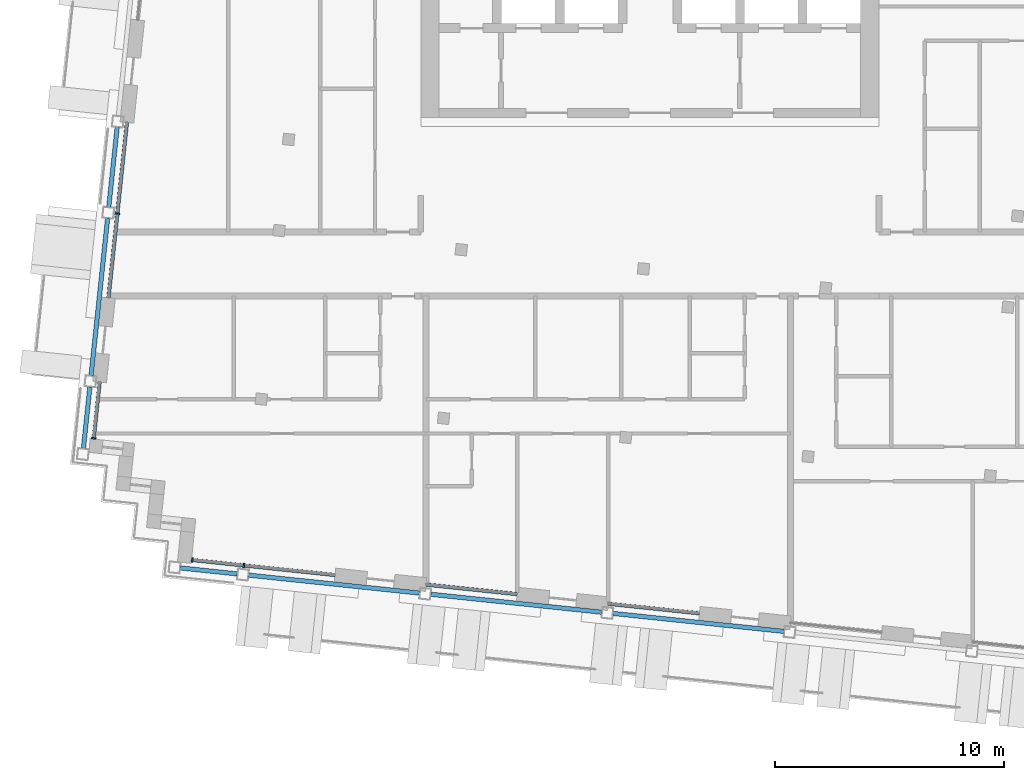
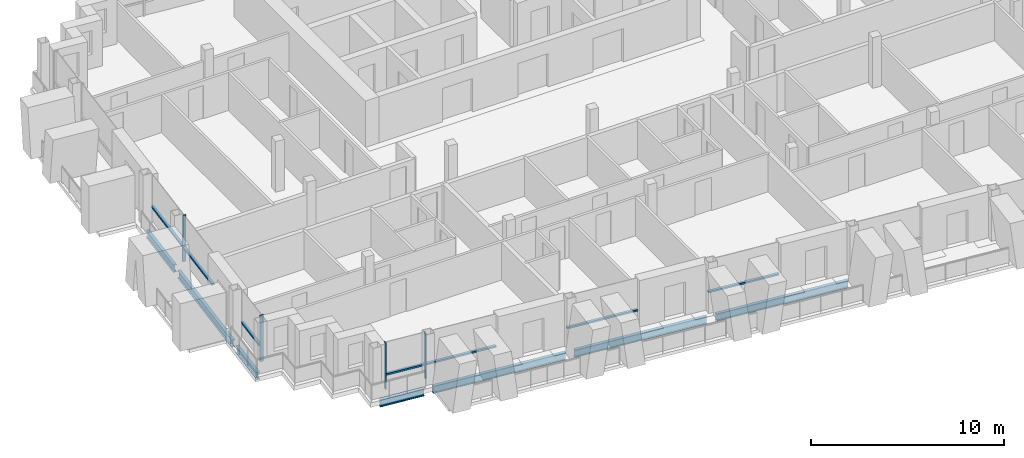
# One storey, part 2 of 16: 11 members, 7 beams, 5 elements without a shape of their own.
"""IFC4 building model written with IfcOpenShell, lengths in metres."""

from ifc_helpers import new_model, si_unit, direction, frame, origin, origin_2d, place, context, subcontext, project, spatial, rectangle, i_section, extrude, material, material_profile, profile_set, type_object, element, aggregate, save


model = new_model("IFC4")

# Units and contexts
model_context = context("Model", 3, precision=1e-05, world=origin(), true_north=direction((0.0, 1.0)))
body_context = subcontext(model_context, "Body", "Model", "MODEL_VIEW")
ifc_project = project(units=[si_unit("LENGTHUNIT", "METRE"), si_unit("AREAUNIT", "SQUARE_METRE"), si_unit("VOLUMEUNIT", "CUBIC_METRE"), si_unit("PLANEANGLEUNIT", "RADIAN"), si_unit("MASSUNIT", "GRAM", prefix="KILO")], contexts=[model_context])

# Site, building, storey
site_placement = place(None, origin())
site = spatial("IfcSite", under=ifc_project, at=site_placement, CompositionType="ELEMENT")
building_placement = place(site_placement, origin())
building = spatial("IfcBuilding", under=site, at=building_placement, Name="Vidyagriha Tower", CompositionType="ELEMENT")
storey_placement = place(building_placement, frame((0.0, 0.0, 275.5)))
storey = spatial("IfcBuildingStorey", under=building, at=storey_placement, Name="L72", CompositionType="ELEMENT", Elevation=275.5)

# Beams
ifc_material_1 = material(Name="Steel ASTM A992 Grade 50", Category="steel")
ifc_material_profile_1 = material_profile(ifc_material_1, i_section(OverallWidth=0.19189453125, OverallDepth=0.46240234375, WebThickness=0.010498046875, FlangeThickness=0.017578125, at=origin_2d()), Name="W18X60")
ifc_profile_set_1 = profile_set([ifc_material_profile_1], Name="Steel ASTM A992 Grade 50")
beam_type = type_object("IfcBeamType", Name="Edge beam W18X60", PredefinedType="SPANDREL", material=ifc_profile_set_1)
beam_1_placement = place(storey_placement, frame((-20.50341796875, -13.268798828125, -0.51123046875), z_axis=(0.994525767953, -0.104491611519, 0.0), x_axis=(0.104491611519, 0.994525767953, 0.0)))
element("IfcBeam", 1, at=beam_1_placement, inside=storey, type_object=beam_type, Name="st-beam-L72-S01", PredefinedType="SPANDREL", context=body_context, shape_type="SweptSolid", body=[
    extrude(i_section(OverallWidth=0.19189453125, OverallDepth=0.46240234375, WebThickness=0.010498046875, FlangeThickness=0.017578125, at=origin_2d()), origin(), (0.0, 0.0, 1.0), 2.5),
])
for number, where, z_axis, x_axis, name in (
    (2, (-17.519775390625, -13.582275390625, -0.51123046875), (0.994522384662, -0.104523807841, 0.0), (0.104523807841, 0.994522384662, 0.0), "st-beam-L72-S02"),
    (3, (-9.563720703125, -14.418701171875, -0.51123046875), (0.994525767953, -0.104491611519, 0.0), (0.104491611519, 0.994525767953, 0.0), "st-beam-L72-S03"),
    (4, (-1.607421875, -15.2548828125, -0.51123046875), (0.994522384662, -0.104523807841, 0.0), (0.104523807841, 0.994522384662, 0.0), "st-beam-L72-S04"),
):
    element("IfcBeam", number, at=place(storey_placement, frame(where, z_axis=z_axis, x_axis=x_axis)), inside=storey, type_object=beam_type, Name=name, PredefinedType="SPANDREL", context=body_context, shape_type="SweptSolid", body=[
        extrude(i_section(OverallWidth=0.19189453125, OverallDepth=0.46240234375, WebThickness=0.010498046875, FlangeThickness=0.017578125, at=origin_2d()), origin(), (0.0, 0.0, 1.0), 7.5),
    ])
beam_2_placement = place(storey_placement, frame((-24.730712890625, -8.04833984375, -0.51123046875), z_axis=(0.104524753323, 0.994522285292, 0.0), x_axis=(-0.994522285292, 0.104524753323, 0.0)))
element("IfcBeam", 5, at=beam_2_placement, inside=storey, type_object=beam_type, Name="st-beam-L72-W08", PredefinedType="SPANDREL", context=body_context, shape_type="SweptSolid", body=[
    extrude(i_section(OverallWidth=0.19189453125, OverallDepth=0.46240234375, WebThickness=0.010498046875, FlangeThickness=0.017578125, at=origin_2d()), origin(), (0.0, 0.0, 1.0), 2.7001953125),
])
beam_3_placement = place(storey_placement, frame((-24.396484375, -4.86572265625, -0.51123046875), z_axis=(0.104557694553, 0.994518822602, 0.0), x_axis=(-0.994518822602, 0.104557694553, 0.0)))
element("IfcBeam", 6, at=beam_3_placement, inside=storey, type_object=beam_type, Name="st-beam-L72-W09", PredefinedType="SPANDREL", context=body_context, shape_type="SweptSolid", body=[
    extrude(i_section(OverallWidth=0.19189453125, OverallDepth=0.46240234375, WebThickness=0.010498046875, FlangeThickness=0.017578125, at=origin_2d()), origin(), (0.0, 0.0, 1.0), 6.89990234375),
])
beam_4_placement = place(storey_placement, frame((-23.622802734375, 2.49365234375, -0.51123046875), z_axis=(0.104488712073, 0.994526072584, 0.0), x_axis=(-0.994526072584, 0.104488712073, 0.0)))
element("IfcBeam", 7, at=beam_4_placement, inside=storey, type_object=beam_type, Name="st-beam-L72-W10", PredefinedType="SPANDREL", context=body_context, shape_type="SweptSolid", body=[
    extrude(i_section(OverallWidth=0.19189453125, OverallDepth=0.46240234375, WebThickness=0.010498046875, FlangeThickness=0.017578125, at=origin_2d()), origin(), (0.0, 0.0, 1.0), 3.5),
])

# Curtain wall, member
ifc_material_2 = material(Name="Aluminium and glass curtain wall", Category="aluminium")
curtain_wall_type = type_object("IfcCurtainWallType", Name="Dwelling skin unitised curtain wall", PredefinedType="USERDEFINED", material=ifc_material_2)
curtain_wall_1_placement = place(storey_placement, origin())
curtain_wall_1 = element("IfcCurtainWall", 8, at=curtain_wall_1_placement, inside=storey, type_object=curtain_wall_type, Name="CW1 dwelling skin", ObjectType="UNITISED", PredefinedType="USERDEFINED")
ifc_material_3 = material(Name="Aluminium black anodised", Category="aluminium")
ifc_material_profile_2 = material_profile(ifc_material_3, rectangle(XDim=0.199951171875, YDim=0.070068359375, at=origin_2d()), Name="Mullion 70x200 black aluminium")
ifc_profile_set_2 = profile_set([ifc_material_profile_2], Name="Aluminium black anodised")
member_type_1 = type_object("IfcMemberType", Name="Mullion 70x200 black aluminium", PredefinedType="MULLION", material=ifc_profile_set_2)
member_1_placement = place(storey_placement, frame((-23.251220703125, 2.203369140625, 0.0), z_axis=(0.0, 0.0, 1.0), x_axis=(0.994521452706, -0.10453267483, 0.0)))
member_1 = element("IfcMember", 9, at=member_1_placement, type_object=member_type_1, Name="CW1 mullion 2", PredefinedType="MULLION", context=body_context, shape_type="SweptSolid", body=[
    extrude(rectangle(XDim=0.199951171875, YDim=0.070068359375, at=origin_2d()), origin(), (0.0, 0.0, 1.0), 2.919921875),
])

curtain_wall_2_placement = place(storey_placement, origin())
curtain_wall_2 = element("IfcCurtainWall", 10, at=curtain_wall_2_placement, inside=storey, type_object=curtain_wall_type, Name="CW1 dwelling skin", ObjectType="UNITISED", PredefinedType="USERDEFINED")
member_2_placement = place(storey_placement, frame((-24.2822265625, -7.60791015625, 0.0), z_axis=(0.0, 0.0, 1.0), x_axis=(0.994523191389, -0.10451613172, 0.0)))
member_2 = element("IfcMember", 11, at=member_2_placement, type_object=member_type_1, Name="CW1 mullion 2", PredefinedType="MULLION", context=body_context, shape_type="SweptSolid", body=[
    extrude(rectangle(XDim=0.199951171875, YDim=0.070068359375, at=origin_2d()), origin(), (0.0, 0.0, 1.0), 2.919921875),
])

# Curtain wall, members
curtain_wall_3_placement = place(storey_placement, origin())
curtain_wall_3 = element("IfcCurtainWall", 12, at=curtain_wall_3_placement, inside=storey, type_object=curtain_wall_type, Name="CW1 dwelling skin", ObjectType="UNITISED", PredefinedType="USERDEFINED")
member_3_placement = place(storey_placement, frame((-19.979248046875, -12.921630859375, 0.0), z_axis=(0.0, 0.0, 1.0), x_axis=(0.104523661385, 0.994522400055, 0.0)))
member_3 = element("IfcMember", 13, at=member_3_placement, type_object=member_type_1, Name="CW1 mullion 1", PredefinedType="MULLION", context=body_context, shape_type="SweptSolid", body=[
    extrude(rectangle(XDim=0.199951171875, YDim=0.070068359375, at=origin_2d()), origin(), (0.0, 0.0, 1.0), 2.919921875),
])
member_4_placement = place(storey_placement, frame((-17.7265625, -13.158447265625, 0.0), z_axis=(0.0, 0.0, 1.0), x_axis=(0.104523661385, 0.994522400055, 0.0)))
member_4 = element("IfcMember", 14, at=member_4_placement, type_object=member_type_1, Name="CW1 mullion 2", PredefinedType="MULLION", context=body_context, shape_type="SweptSolid", body=[
    extrude(rectangle(XDim=0.199951171875, YDim=0.070068359375, at=origin_2d()), origin(), (0.0, 0.0, 1.0), 2.919921875),
])

# Member
ifc_material_4 = material(Name="Aluminium black anodised", Category="aluminium")
ifc_material_profile_3 = material_profile(ifc_material_4, rectangle(XDim=0.159912109375, YDim=0.10009765625, at=origin_2d()), Name="Transom 100x160 black aluminium")
ifc_profile_set_3 = profile_set([ifc_material_profile_3], Name="Aluminium black anodised")
member_type_2 = type_object("IfcMemberType", Name="Transom 100x160 black aluminium", PredefinedType="USERDEFINED", material=ifc_profile_set_3)
member_5_placement = place(storey_placement, frame((-22.8330078125, 6.181396484375, 0.89990234375), z_axis=(-0.104550167438, -0.994519613929, 0.0), x_axis=(0.994519613929, -0.104550167438, 0.0)))
member_5 = element("IfcMember", 15, at=member_5_placement, type_object=member_type_2, Name="CW1 transom 1.1", ObjectType="TRANSOM", PredefinedType="USERDEFINED", context=body_context, shape_type="SweptSolid", body=[
    extrude(rectangle(XDim=0.159912109375, YDim=0.10009765625, at=origin_2d()), origin(), (0.0, 0.0, 1.0), 3.965087890625),
])

member_6_placement = place(storey_placement, frame((-23.2548828125, 2.16845703125, 0.89990234375), z_axis=(-0.104521800028, -0.99452259568, 0.0), x_axis=(0.99452259568, -0.104521800028, 0.0)))
member_6 = element("IfcMember", 16, at=member_6_placement, type_object=member_type_2, Name="CW1 transom 2.1", ObjectType="TRANSOM", PredefinedType="USERDEFINED", context=body_context, shape_type="SweptSolid", body=[
    extrude(rectangle(XDim=0.159912109375, YDim=0.10009765625, at=origin_2d()), origin(), (0.0, 0.0, 1.0), 3.664794921875),
])

aggregate(curtain_wall_1, [member_1, member_5, member_6])

member_7_placement = place(storey_placement, frame((-24.024658203125, -5.15625, 0.89990234375), z_axis=(-0.104486049741, -0.994526352295, 0.0), x_axis=(0.994526352295, -0.104486049741, 0.0)))
member_7 = element("IfcMember", 17, at=member_7_placement, type_object=member_type_2, Name="CW1 transom 1.1", ObjectType="TRANSOM", PredefinedType="USERDEFINED", context=body_context, shape_type="SweptSolid", body=[
    extrude(rectangle(XDim=0.159912109375, YDim=0.10009765625, at=origin_2d()), origin(), (0.0, 0.0, 1.0), 2.429931640625),
])

aggregate(curtain_wall_2, [member_2, member_7])

member_8_placement = place(storey_placement, frame((-19.9443359375, -12.92529296875, 0.89990234375), z_axis=(0.994518853465, -0.104557400991, 0.0), x_axis=(0.104557400991, 0.994518853465, 0.0)))
member_8 = element("IfcMember", 18, at=member_8_placement, type_object=member_type_2, Name="CW1 transom 1.1", ObjectType="TRANSOM", PredefinedType="USERDEFINED", context=body_context, shape_type="SweptSolid", body=[
    extrude(rectangle(XDim=0.159912109375, YDim=0.10009765625, at=origin_2d()), origin(), (0.0, 0.0, 1.0), 2.19482421875),
])

member_9_placement = place(storey_placement, frame((-17.69189453125, -13.162109375, 0.89990234375), z_axis=(0.994526014245, -0.104489267346, 0.0), x_axis=(0.104489267346, 0.994526014245, 0.0)))
member_9 = element("IfcMember", 19, at=member_9_placement, type_object=member_type_2, Name="CW1 transom 2.1", ObjectType="TRANSOM", PredefinedType="USERDEFINED", context=body_context, shape_type="SweptSolid", body=[
    extrude(rectangle(XDim=0.159912109375, YDim=0.10009765625, at=origin_2d()), origin(), (0.0, 0.0, 1.0), 3.965087890625),
])

aggregate(curtain_wall_3, [member_3, member_4, member_8, member_9])

# Curtain wall, member
curtain_wall_4_placement = place(storey_placement, origin())
curtain_wall_4 = element("IfcCurtainWall", 20, at=curtain_wall_4_placement, inside=storey, type_object=curtain_wall_type, Name="CW1 dwelling skin", ObjectType="UNITISED", PredefinedType="USERDEFINED")
member_10_placement = place(storey_placement, frame((-9.7705078125, -13.99462890625, 0.89990234375), z_axis=(0.99451982373, -0.104548171712, 0.0), x_axis=(0.104548171712, 0.99451982373, 0.0)))
member_10 = element("IfcMember", 21, at=member_10_placement, type_object=member_type_2, Name="CW1 transom 1.1", ObjectType="TRANSOM", PredefinedType="USERDEFINED", context=body_context, shape_type="SweptSolid", body=[
    extrude(rectangle(XDim=0.159912109375, YDim=0.10009765625, at=origin_2d()), origin(), (0.0, 0.0, 1.0), 4.000244140625),
])
aggregate(curtain_wall_4, [member_10])

curtain_wall_5_placement = place(storey_placement, origin())
curtain_wall_5 = element("IfcCurtainWall", 22, at=curtain_wall_5_placement, inside=storey, type_object=curtain_wall_type, Name="CW1 dwelling skin", ObjectType="UNITISED", PredefinedType="USERDEFINED")
member_11_placement = place(storey_placement, frame((-1.814208984375, -14.830810546875, 0.89990234375), z_axis=(0.994519156568, -0.104554517933, 0.0), x_axis=(0.104554517933, 0.994519156568, 0.0)))
member_11 = element("IfcMember", 23, at=member_11_placement, type_object=member_type_2, Name="CW1 transom 1.1", ObjectType="TRANSOM", PredefinedType="USERDEFINED", context=body_context, shape_type="SweptSolid", body=[
    extrude(rectangle(XDim=0.159912109375, YDim=0.10009765625, at=origin_2d()), origin(), (0.0, 0.0, 1.0), 4.0),
])
aggregate(curtain_wall_5, [member_11])

save(model, "model.ifc")
